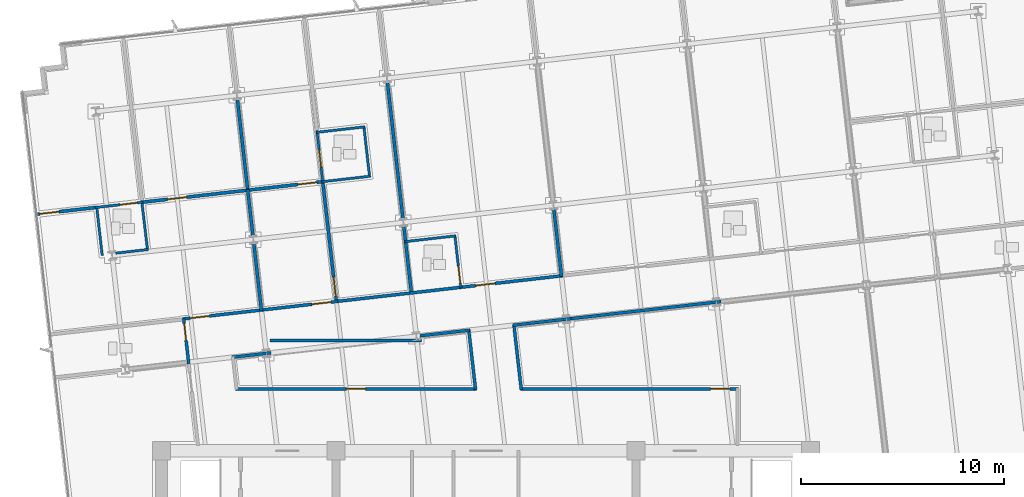
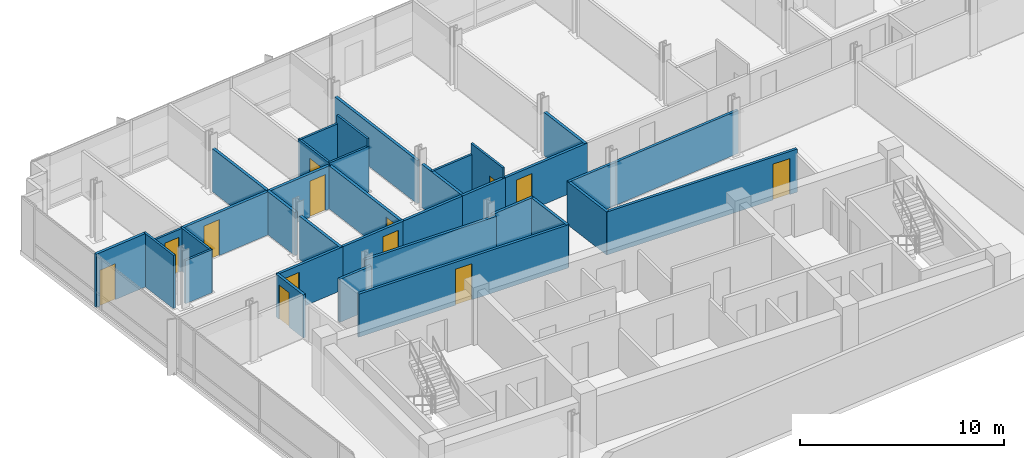
# One storey, part 10 of 16: 35 walls, 13 doors, 13 openings.
"""IFC4 building model written with IfcOpenShell, lengths in metres."""

from ifc_helpers import new_model, si_unit, direction, frame, frame_2d, origin, place, context, subcontext, project, spatial, rectangle, extrude, material, layer, layer_set, type_object, element, fill, save


model = new_model("IFC4")

# Units and contexts
model_context = context("Model", 3, precision=1e-05, world=origin(), true_north=direction((0.0, 1.0)))
body_context = subcontext(model_context, "Body", "Model", "MODEL_VIEW")
ifc_project = project(units=[si_unit("LENGTHUNIT", "METRE"), si_unit("AREAUNIT", "SQUARE_METRE"), si_unit("VOLUMEUNIT", "CUBIC_METRE"), si_unit("PLANEANGLEUNIT", "RADIAN"), si_unit("MASSUNIT", "GRAM", prefix="KILO")], contexts=[model_context])

# Site, building, storey
site_placement = place(None, origin())
site = spatial("IfcSite", under=ifc_project, at=site_placement, CompositionType="ELEMENT")
building_placement = place(site_placement, origin())
building = spatial("IfcBuilding", under=site, at=building_placement, Name="Solmavex Isthmus Hotel", CompositionType="ELEMENT")
storey_placement = place(building_placement, frame((0.0, 0.0, 219.300048828125)))
storey = spatial("IfcBuildingStorey", under=building, at=storey_placement, Name="L59", CompositionType="ELEMENT", Elevation=219.300048828125)

# Wall, opening, door
ifc_material_1 = material(Name="Gypsum plasterboard lining", Category="gypsum")
ifc_layer_1 = layer(ifc_material_1, 0.159912109375)
ifc_layer_set_1 = layer_set([ifc_layer_1], Name="Gypsum plasterboard lining")
wall_type_1 = type_object("IfcWallType", Name="IW-COMP-160", PredefinedType="PARTITIONING", material=ifc_layer_set_1)
wall_1_placement = place(storey_placement, frame((-22.2109375, 9.15478515625, 0.0), z_axis=(0.0, 0.0, 1.0), x_axis=(0.993565909035, 0.113255394587, 0.0)))
wall_1 = element("IfcWall", 1, at=wall_1_placement, inside=storey, type_object=wall_type_1, Name="Interior Partition Wall W-L59-P026", PredefinedType="PARTITIONING", context=body_context, shape_type="SweptSolid", body=[
    extrude(rectangle(XDim=3.073974609375, YDim=0.159912109375, at=frame_2d((1.537109375, 0.0))), origin(), (0.0, 0.0, 1.0), 3.18994140625),
])
opening_1_placement = place(wall_1_placement, frame((0.2099609375, 0.0, 0.0)))
opening_1 = element("IfcOpeningElement", 2, at=opening_1_placement, cuts=wall_1, Name="Opening ID-C095", PredefinedType="OPENING", context=body_context, shape_type="SweptSolid", body=[
    extrude(rectangle(XDim=0.949951171875, YDim=2.14990234375, at=frame_2d((0.47509765625, 1.074951171875))), frame((0.0, 0.08984375, 0.0), z_axis=(0.0, -1.0, 0.0), x_axis=(1.0, 0.0, 0.0)), (0.0, 0.0, 1.0), 0.179931640625),
])
ifc_material_2 = material(Name="Hardwood timber", Category="wood")
door_type_1 = type_object("IfcDoorType", Name="IDR-FD60-0950", OperationType="NOTDEFINED", PredefinedType="DOOR", material=ifc_material_2)
door_1_placement = place(opening_1_placement, origin())
door_1 = element("IfcDoor", 3, at=door_1_placement, inside=storey, type_object=door_type_1, Name="Corner Diplomatic Suite Bedroom Door L59-02", OperationType="SINGLE_SWING_RIGHT", OverallHeight=2.14990234375, OverallWidth=0.949951171875, PredefinedType="DOOR", context=body_context, shape_type="SweptSolid", body=[
    extrude(rectangle(XDim=0.949951171875, YDim=2.14990234375, at=frame_2d((0.47509765625, 1.074951171875))), frame((0.0, 0.02490234375, 0.0), z_axis=(0.0, -1.0, 0.0), x_axis=(1.0, 0.0, 0.0)), (0.0, 0.0, 1.0), 0.050048828125),
])
fill(opening_1, door_1)

wall_2_placement = place(storey_placement, frame((-17.0107421875, 9.747314453125, 0.0), z_axis=(0.0, 0.0, 1.0), x_axis=(0.993573472998, 0.113189017815, 0.0)))
wall_2 = element("IfcWall", 4, at=wall_2_placement, inside=storey, type_object=wall_type_1, Name="Interior Partition Wall W-L59-P027", PredefinedType="PARTITIONING", context=body_context, shape_type="SweptSolid", body=[
    extrude(rectangle(XDim=5.333984375, YDim=0.159912109375, at=frame_2d((2.6669921875, 0.0))), origin(), (0.0, 0.0, 1.0), 2.572265625),
])
opening_2_placement = place(wall_2_placement, frame((1.309326171875, 0.0, 0.0)))
opening_2 = element("IfcOpeningElement", 5, at=opening_2_placement, cuts=wall_2, Name="Opening ID-C095", PredefinedType="OPENING", context=body_context, shape_type="SweptSolid", body=[
    extrude(rectangle(XDim=0.949951171875, YDim=2.14990234375, at=frame_2d((0.47509765625, 1.074951171875))), frame((0.0, 0.08984375, 0.0), z_axis=(0.0, -1.0, 0.0), x_axis=(1.0, 0.0, 0.0)), (0.0, 0.0, 1.0), 0.179931640625),
])
door_2_placement = place(opening_2_placement, origin())
door_2 = element("IfcDoor", 6, at=door_2_placement, inside=storey, type_object=door_type_1, Name="Corner Diplomatic Suite Sitting Lounge Door L59-03", OperationType="SINGLE_SWING_LEFT", OverallHeight=2.14990234375, OverallWidth=0.949951171875, PredefinedType="DOOR", context=body_context, shape_type="SweptSolid", body=[
    extrude(rectangle(XDim=0.949951171875, YDim=2.14990234375, at=frame_2d((0.47509765625, 1.074951171875))), frame((0.0, 0.02490234375, 0.0), z_axis=(0.0, -1.0, 0.0), x_axis=(1.0, 0.0, 0.0)), (0.0, 0.0, 1.0), 0.050048828125),
])
fill(opening_2, door_2)

# Walls
wall_3_placement = place(storey_placement, frame((-11.75537109375, 10.386474609375, 0.0), z_axis=(0.0, 0.0, 1.0), x_axis=(0.113222204678, -0.993569691752, 0.0)))
element("IfcWall", 7, at=wall_3_placement, inside=storey, type_object=wall_type_1, Name="Interior Partition Wall W-L59-P031", PredefinedType="PARTITIONING", context=body_context, shape_type="SweptSolid", body=[
    extrude(rectangle(XDim=2.313720703125, YDim=0.159912109375, at=frame_2d((1.15673828125, 0.0))), origin(), (0.0, 0.0, 1.0), 2.572265625),
])
wall_4_placement = place(storey_placement, frame((-11.453369140625, 7.737060546875, 0.0), z_axis=(0.0, 0.0, 1.0), x_axis=(0.113229088195, -0.993568907317, 0.0)))
element("IfcWall", 8, at=wall_4_placement, inside=storey, type_object=wall_type_1, Name="Interior Partition Wall W-L59-P032", PredefinedType="PARTITIONING", context=body_context, shape_type="SweptSolid", body=[
    extrude(rectangle(XDim=3.361572265625, YDim=0.159912109375, at=frame_2d((1.6806640625, 0.0))), origin(), (0.0, 0.0, 1.0), 2.572265625),
])
wall_5_placement = place(storey_placement, frame((-12.262939453125, 14.84326171875, 0.0), z_axis=(0.0, 0.0, 1.0), x_axis=(0.113201232248, -0.99357208144, 0.0)))
element("IfcWall", 9, at=wall_5_placement, inside=storey, type_object=wall_type_1, Name="Interior Partition Wall W-L59-P037", PredefinedType="PARTITIONING", context=body_context, shape_type="SweptSolid", body=[
    extrude(rectangle(XDim=4.565673828125, YDim=0.159912109375, at=frame_2d((2.28271484375, 0.0))), origin(), (0.0, 0.0, 1.0), 2.572265625),
])

# Wall, opening, door
wall_6_placement = place(storey_placement, frame((-11.79052734375, 10.342041015625, 0.0), z_axis=(0.0, 0.0, 1.0), x_axis=(0.993567388358, 0.113242416041, 0.0)))
wall_6 = element("IfcWall", 10, at=wall_6_placement, inside=storey, type_object=wall_type_1, Name="Interior Partition Wall W-L59-P038", PredefinedType="PARTITIONING", context=body_context, shape_type="SweptSolid", body=[
    extrude(rectangle(XDim=3.802978515625, YDim=0.159912109375, at=frame_2d((1.9013671875, 0.0))), origin(), (0.0, 0.0, 1.0), 2.572265625),
])
opening_3_placement = place(wall_6_placement, frame((2.52099609375, 0.0, 0.0)))
opening_3 = element("IfcOpeningElement", 11, at=opening_3_placement, cuts=wall_6, Name="Opening ID-C095", PredefinedType="OPENING", context=body_context, shape_type="SweptSolid", body=[
    extrude(rectangle(XDim=0.949951171875, YDim=2.14990234375, at=frame_2d((0.47509765625, 1.074951171875))), frame((0.0, 0.08984375, 0.0), z_axis=(0.0, -1.0, 0.0), x_axis=(1.0, 0.0, 0.0)), (0.0, 0.0, 1.0), 0.179931640625),
])
door_3_placement = place(opening_3_placement, origin())
door_3 = element("IfcDoor", 12, at=door_3_placement, inside=storey, type_object=door_type_1, Name="Premier Hospitality Suite Master Bedroom Door L59-06", OperationType="SINGLE_SWING_RIGHT", OverallHeight=2.14990234375, OverallWidth=0.949951171875, PredefinedType="DOOR", context=body_context, shape_type="SweptSolid", body=[
    extrude(rectangle(XDim=0.949951171875, YDim=2.14990234375, at=frame_2d((0.47509765625, 1.074951171875))), frame((0.0, 0.02490234375, 0.0), z_axis=(0.0, -1.0, 0.0), x_axis=(1.0, 0.0, 0.0)), (0.0, 0.0, 1.0), 0.050048828125),
])
fill(opening_3, door_3)

wall_7_placement = place(storey_placement, frame((-8.05615234375, 10.807861328125, 0.0), z_axis=(0.0, 0.0, 1.0), x_axis=(0.11320048128, -0.993572167, 0.0)))
wall_7 = element("IfcWall", 13, at=wall_7_placement, inside=storey, type_object=wall_type_1, Name="Interior Partition Wall W-L59-P039", PredefinedType="PARTITIONING", context=body_context, shape_type="SweptSolid", body=[
    extrude(rectangle(XDim=6.028076171875, YDim=0.159912109375, at=frame_2d((3.01416015625, 0.0))), origin(), (0.0, 0.0, 1.0), 2.572265625),
])
opening_4_placement = place(wall_7_placement, frame((4.787353515625, 0.0, 0.0)))
opening_4 = element("IfcOpeningElement", 14, at=opening_4_placement, cuts=wall_7, Name="Opening ID-C095", PredefinedType="OPENING", context=body_context, shape_type="SweptSolid", body=[
    extrude(rectangle(XDim=0.949951171875, YDim=2.14990234375, at=frame_2d((0.47509765625, 1.074951171875))), frame((0.0, 0.08984375, 0.0), z_axis=(0.0, -1.0, 0.0), x_axis=(1.0, 0.0, 0.0)), (0.0, 0.0, 1.0), 0.179931640625),
])
door_4_placement = place(opening_4_placement, origin())
door_4 = element("IfcDoor", 15, at=door_4_placement, inside=storey, type_object=door_type_1, Name="Premier Hospitality Suite Living Lounge Door L59-07", OperationType="SINGLE_SWING_LEFT", OverallHeight=2.14990234375, OverallWidth=0.949951171875, PredefinedType="DOOR", context=body_context, shape_type="SweptSolid", body=[
    extrude(rectangle(XDim=0.949951171875, YDim=2.14990234375, at=frame_2d((0.47509765625, 1.074951171875))), frame((0.0, 0.02490234375, 0.0), z_axis=(0.0, -1.0, 0.0), x_axis=(1.0, 0.0, 0.0)), (0.0, 0.0, 1.0), 0.050048828125),
])
fill(opening_4, door_4)

# Walls
wall_8_placement = place(storey_placement, frame((-4.864990234375, 15.68603515625, 0.0), z_axis=(0.0, 0.0, 1.0), x_axis=(0.11321341463, -0.993570693382, 0.0)))
element("IfcWall", 16, at=wall_8_placement, inside=storey, type_object=wall_type_1, Name="Interior Partition Wall W-L59-P046", PredefinedType="PARTITIONING", context=body_context, shape_type="SweptSolid", body=[
    extrude(rectangle(XDim=6.79931640625, YDim=0.159912109375, at=frame_2d((3.399658203125, 0.0))), origin(), (0.0, 0.0, 1.0), 2.572265625),
])
for number, where, z_axis, x_axis, name in (
    (17, (-4.05517578125, 8.580078125, 0.0), (0.0, 0.0, 1.0), (0.113149223935, -0.993578005555, 0.0), "Interior Partition Wall W-L59-P047"),
    (18, (3.3427734375, 9.4228515625, 0.0), (0.0, 0.0, 1.0), (0.113229088195, -0.993568907317, 0.0), "Interior Partition Wall W-L59-P052"),
):
    element("IfcWall", number, at=place(storey_placement, frame(where, z_axis=z_axis, x_axis=x_axis)), inside=storey, type_object=wall_type_1, Name=name, PredefinedType="PARTITIONING", context=body_context, shape_type="SweptSolid", body=[
        extrude(rectangle(XDim=3.361572265625, YDim=0.159912109375, at=frame_2d((1.6806640625, 0.0))), origin(), (0.0, 0.0, 1.0), 2.572265625),
    ])

# Wall, opening, door
ifc_layer_2 = layer(ifc_material_1, 0.14990234375)
ifc_layer_set_2 = layer_set([ifc_layer_2], Name="Gypsum plasterboard lining")
wall_type_2 = type_object("IfcWallType", Name="IW-CORR-150", PredefinedType="PARTITIONING", material=ifc_layer_set_2)
wall_9_placement = place(storey_placement, frame((-14.950439453125, 3.99560546875, 0.0), z_axis=(0.0, 0.0, 1.0), x_axis=(0.993575504711, 0.11317118201, 0.0)))
wall_9 = element("IfcWall", 19, at=wall_9_placement, inside=storey, type_object=wall_type_2, Name="Interior Partition Wall W-L59-P001", PredefinedType="PARTITIONING", context=body_context, shape_type="SweptSolid", body=[
    extrude(rectangle(XDim=3.980224609375, YDim=0.14990234375, at=frame_2d((1.990234375, 0.0))), origin(), (0.0, 0.0, 1.0), 2.572265625),
])
opening_5_placement = place(wall_9_placement, frame((0.368408203125, 0.0, 0.0)))
opening_5 = element("IfcOpeningElement", 20, at=opening_5_placement, cuts=wall_9, Name="Opening ID-C095", PredefinedType="OPENING", context=body_context, shape_type="SweptSolid", body=[
    extrude(rectangle(XDim=0.949951171875, YDim=2.14990234375, at=frame_2d((0.47509765625, 1.074951171875))), frame((0.0, 0.0849609375, 0.0), z_axis=(0.0, -1.0, 0.0), x_axis=(1.0, 0.0, 0.0)), (0.0, 0.0, 1.0), 0.169921875),
])
door_5_placement = place(opening_5_placement, origin())
door_5 = element("IfcDoor", 21, at=door_5_placement, inside=storey, type_object=door_type_1, Name="Corner Diplomatic Suite Reception Foyer Door L59-01", OperationType="SINGLE_SWING_LEFT", OverallHeight=2.14990234375, OverallWidth=0.949951171875, PredefinedType="DOOR", context=body_context, shape_type="SweptSolid", body=[
    extrude(rectangle(XDim=0.949951171875, YDim=2.14990234375, at=frame_2d((0.47509765625, 1.074951171875))), frame((0.0, 0.02490234375, 0.0), z_axis=(0.0, -1.0, 0.0), x_axis=(1.0, 0.0, 0.0)), (0.0, 0.0, 1.0), 0.050048828125),
])
fill(opening_5, door_5)

wall_10_placement = place(storey_placement, frame((-11.158935546875, 4.427490234375, 0.0), z_axis=(0.0, 0.0, 1.0), x_axis=(0.993567244528, 0.113243677975, 0.0)))
wall_10 = element("IfcWall", 22, at=wall_10_placement, inside=storey, type_object=wall_type_2, Name="Interior Partition Wall W-L59-P002", PredefinedType="PARTITIONING", context=body_context, shape_type="SweptSolid", body=[
    extrude(rectangle(XDim=3.886962890625, YDim=0.14990234375, at=frame_2d((1.943359375, 0.0))), origin(), (0.0, 0.0, 1.0), 2.572265625),
])
opening_6_placement = place(wall_10_placement, frame((2.587890625, 0.0, 0.0)))
opening_6 = element("IfcOpeningElement", 23, at=opening_6_placement, cuts=wall_10, Name="Opening ID-C095", PredefinedType="OPENING", context=body_context, shape_type="SweptSolid", body=[
    extrude(rectangle(XDim=0.949951171875, YDim=2.14990234375, at=frame_2d((0.47509765625, 1.074951171875))), frame((0.0, 0.0849609375, 0.0), z_axis=(0.0, -1.0, 0.0), x_axis=(1.0, 0.0, 0.0)), (0.0, 0.0, 1.0), 0.169921875),
])
door_6_placement = place(opening_6_placement, origin())
door_6 = element("IfcDoor", 24, at=door_6_placement, inside=storey, type_object=door_type_1, Name="Premier Hospitality Suite Entrance Hall Door L59-05", OperationType="SINGLE_SWING_LEFT", OverallHeight=2.14990234375, OverallWidth=0.949951171875, PredefinedType="DOOR", context=body_context, shape_type="SweptSolid", body=[
    extrude(rectangle(XDim=0.949951171875, YDim=2.14990234375, at=frame_2d((0.47509765625, 1.074951171875))), frame((0.0, 0.02490234375, 0.0), z_axis=(0.0, -1.0, 0.0), x_axis=(1.0, 0.0, 0.0)), (0.0, 0.0, 1.0), 0.050048828125),
])
fill(opening_6, door_6)

# Wall
wall_11_placement = place(storey_placement, frame((-7.459716796875, 4.84912109375, 0.0), z_axis=(0.0, 0.0, 1.0), x_axis=(0.993573504889, 0.113188737881, 0.0)))
element("IfcWall", 25, at=wall_11_placement, inside=storey, type_object=wall_type_2, Name="Interior Partition Wall W-L59-P003", PredefinedType="PARTITIONING", context=body_context, shape_type="SweptSolid", body=[
    extrude(rectangle(XDim=3.88671875, YDim=0.14990234375, at=frame_2d((1.943359375, 0.0))), origin(), (0.0, 0.0, 1.0), 2.572265625),
])

# Wall, opening, door
wall_12_placement = place(storey_placement, frame((-1.326416015625, 5.5478515625, 0.0), z_axis=(0.0, 0.0, 1.0), x_axis=(0.993569374626, 0.113224987546, 0.0)))
wall_12 = element("IfcWall", 26, at=wall_12_placement, inside=storey, type_object=wall_type_2, Name="Interior Partition Wall W-L59-P004", PredefinedType="PARTITIONING", context=body_context, shape_type="SweptSolid", body=[
    extrude(rectangle(XDim=5.159912109375, YDim=0.14990234375, at=frame_2d((2.580078125, 0.0))), origin(), (0.0, 0.0, 1.0), 2.572265625),
])
opening_7_placement = place(wall_12_placement, frame((0.82470703125, 0.0, 0.0)))
opening_7 = element("IfcOpeningElement", 27, at=opening_7_placement, cuts=wall_12, Name="Opening ID-C095", PredefinedType="OPENING", context=body_context, shape_type="SweptSolid", body=[
    extrude(rectangle(XDim=0.949951171875, YDim=2.14990234375, at=frame_2d((0.47509765625, 1.074951171875))), frame((0.0, 0.0849609375, 0.0), z_axis=(0.0, -1.0, 0.0), x_axis=(1.0, 0.0, 0.0)), (0.0, 0.0, 1.0), 0.169921875),
])
door_7_placement = place(opening_7_placement, origin())
door_7 = element("IfcDoor", 28, at=door_7_placement, inside=storey, type_object=door_type_1, Name="Premier Suite Door L59-09", OperationType="SINGLE_SWING_LEFT", OverallHeight=2.14990234375, OverallWidth=0.949951171875, PredefinedType="DOOR", context=body_context, shape_type="SweptSolid", body=[
    extrude(rectangle(XDim=0.949951171875, YDim=2.14990234375, at=frame_2d((0.47509765625, 1.074951171875))), frame((0.0, 0.02490234375, 0.0), z_axis=(0.0, -1.0, 0.0), x_axis=(1.0, 0.0, 0.0)), (0.0, 0.0, 1.0), 0.050048828125),
])
fill(opening_7, door_7)

# Wall
wall_13_placement = place(storey_placement, frame((-3.7607421875, 5.2705078125, 0.0), z_axis=(0.0, 0.0, 1.0), x_axis=(0.993572349416, 0.113198880193, 0.0)))
element("IfcWall", 29, at=wall_13_placement, inside=storey, type_object=wall_type_2, Name="Interior Partition Wall W-L59-P005", PredefinedType="PARTITIONING", context=body_context, shape_type="SweptSolid", body=[
    extrude(rectangle(XDim=2.614013671875, YDim=0.14990234375, at=frame_2d((1.30712890625, 0.0))), origin(), (0.0, 0.0, 1.0), 2.572265625),
])

# Wall, opening, door
wall_14_placement = place(storey_placement, frame((-14.657958984375, 1.782470703125, 0.0), z_axis=(0.0, 0.0, 1.0), x_axis=(-0.113179685294, 0.993574536125, 0.0)))
wall_14 = element("IfcWall", 30, at=wall_14_placement, inside=storey, type_object=wall_type_2, Name="Interior Partition Wall W-L59-P010", PredefinedType="PARTITIONING", context=body_context, shape_type="SweptSolid", body=[
    extrude(rectangle(XDim=2.251953125, YDim=0.14990234375, at=frame_2d((1.1259765625, 0.0))), origin(), (0.0, 0.0, 1.0), 2.572265625),
])
opening_8_placement = place(wall_14_placement, frame((1.156982421875, 0.0, 0.0)))
opening_8 = element("IfcOpeningElement", 31, at=opening_8_placement, cuts=wall_14, Name="Opening ID-R085", PredefinedType="OPENING", context=body_context, shape_type="SweptSolid", body=[
    extrude(rectangle(XDim=0.85009765625, YDim=2.050048828125, at=frame_2d((0.425048828125, 1.02490234375))), frame((0.0, 0.0849609375, 0.0), z_axis=(0.0, -1.0, 0.0), x_axis=(1.0, 0.0, 0.0)), (0.0, 0.0, 1.0), 0.169921875),
])
ifc_material_3 = material(Name="Steel ASTM A500 Grade C", Category="steel")
door_type_2 = type_object("IfcDoorType", Name="IDR-FD60-0850", OperationType="NOTDEFINED", PredefinedType="DOOR", material=ifc_material_3)
door_8_placement = place(opening_8_placement, frame((0.85009765625, 0.0, 0.0), z_axis=(0.0, 0.0, 1.0), x_axis=(-1.0, 0.0, 0.0)))
door_8 = element("IfcDoor", 32, at=door_8_placement, inside=storey, type_object=door_type_2, Name="Accessible Public Restroom WC Door L59-18", OperationType="SINGLE_SWING_RIGHT", OverallHeight=2.050048828125, OverallWidth=0.85009765625, PredefinedType="DOOR", context=body_context, shape_type="SweptSolid", body=[
    extrude(rectangle(XDim=0.85009765625, YDim=2.050048828125, at=frame_2d((0.425048828125, 1.02490234375))), frame((0.0, 0.02490234375, 0.0), z_axis=(0.0, -1.0, 0.0), x_axis=(1.0, 0.0, 0.0)), (0.0, 0.0, 1.0), 0.050048828125),
])
fill(opening_8, door_8)

# Wall
wall_15_placement = place(storey_placement, frame((-10.6064453125, 2.32666015625, 0.0), z_axis=(0.0, 0.0, 1.0), x_axis=(-0.993564486687, -0.113267871856, 0.0)))
element("IfcWall", 33, at=wall_15_placement, inside=storey, type_object=wall_type_2, Name="Interior Partition Wall W-L59-P012", PredefinedType="PARTITIONING", context=body_context, shape_type="SweptSolid", body=[
    extrude(rectangle(XDim=1.927001953125, YDim=0.14990234375, at=frame_2d((0.96337890625, 0.0))), origin(), (0.0, 0.0, 1.0), 2.572265625),
])

# Wall, opening, door
wall_16_placement = place(storey_placement, frame((-12.34326171875, 0.550048828125, 0.0), z_axis=(0.0, 0.0, 1.0), x_axis=(1.0, 0.0, 0.0)))
wall_16 = element("IfcWall", 34, at=wall_16_placement, inside=storey, type_object=wall_type_2, Name="Interior Partition Wall W-L59-P014", PredefinedType="PARTITIONING", context=body_context, shape_type="SweptSolid", body=[
    extrude(rectangle(XDim=11.86279296875, YDim=0.14990234375, at=frame_2d((5.931396484375, 0.0))), origin(), (0.0, 0.0, 1.0), 2.572265625),
])
opening_9_placement = place(wall_16_placement, frame((5.456298828125, 0.0, 0.0)))
opening_9 = element("IfcOpeningElement", 35, at=opening_9_placement, cuts=wall_16, Name="Opening ID-C095", PredefinedType="OPENING", context=body_context, shape_type="SweptSolid", body=[
    extrude(rectangle(XDim=0.949951171875, YDim=2.14990234375, at=frame_2d((0.47509765625, 1.074951171875))), frame((0.0, 0.0849609375, 0.0), z_axis=(0.0, -1.0, 0.0), x_axis=(1.0, 0.0, 0.0)), (0.0, 0.0, 1.0), 0.169921875),
])
door_9_placement = place(opening_9_placement, origin())
door_9 = element("IfcDoor", 36, at=door_9_placement, inside=storey, type_object=door_type_1, Name="Executive Boardroom Door L59-20", OperationType="SINGLE_SWING_RIGHT", OverallHeight=2.14990234375, OverallWidth=0.949951171875, PredefinedType="DOOR", context=body_context, shape_type="SweptSolid", body=[
    extrude(rectangle(XDim=0.949951171875, YDim=2.14990234375, at=frame_2d((0.47509765625, 1.074951171875))), frame((0.0, 0.02490234375, 0.0), z_axis=(0.0, -1.0, 0.0), x_axis=(1.0, 0.0, 0.0)), (0.0, 0.0, 1.0), 0.050048828125),
])
fill(opening_9, door_9)

# Walls
wall_17_placement = place(storey_placement, frame((-0.515869140625, 0.51025390625, 0.0), z_axis=(0.0, 0.0, 1.0), x_axis=(-0.113283799092, 0.993562670828, 0.0)))
element("IfcWall", 37, at=wall_17_placement, inside=storey, type_object=wall_type_2, Name="Interior Partition Wall W-L59-P015", PredefinedType="PARTITIONING", context=body_context, shape_type="SweptSolid", body=[
    extrude(rectangle(XDim=2.987060546875, YDim=0.14990234375, at=frame_2d((1.49365234375, 0.0))), origin(), (0.0, 0.0, 1.0), 2.572265625),
])
wall_18_placement = place(storey_placement, frame((-0.809814453125, 3.44287109375, 0.0), z_axis=(0.0, 0.0, 1.0), x_axis=(-0.993568355418, -0.113233930922, 0.0)))
element("IfcWall", 38, at=wall_18_placement, inside=storey, type_object=wall_type_2, Name="Interior Partition Wall W-L59-P016", PredefinedType="PARTITIONING", context=body_context, shape_type="SweptSolid", body=[
    extrude(rectangle(XDim=2.466552734375, YDim=0.14990234375, at=frame_2d((1.2333984375, 0.0))), origin(), (0.0, 0.0, 1.0), 2.572265625),
])
wall_19_placement = place(storey_placement, frame((-3.180908203125, 2.9287109375, 0.0), z_axis=(0.0, 0.0, 1.0), x_axis=(-1.0, 0.0, 0.0)))
element("IfcWall", 39, at=wall_19_placement, inside=storey, type_object=wall_type_2, Name="Interior Partition Wall W-L59-P017", PredefinedType="PARTITIONING", context=body_context, shape_type="SweptSolid", body=[
    extrude(rectangle(XDim=7.477783203125, YDim=0.14990234375, at=frame_2d((3.73876953125, 0.0))), origin(), (0.0, 0.0, 1.0), 2.572265625),
])
wall_20_placement = place(storey_placement, frame((4.18994140625, 4.012451171875, 0.0), z_axis=(0.0, 0.0, 1.0), x_axis=(-0.99356987962, -0.113220556049, 0.0)))
element("IfcWall", 40, at=wall_20_placement, inside=storey, type_object=wall_type_2, Name="Interior Partition Wall W-L59-P019", PredefinedType="PARTITIONING", context=body_context, shape_type="SweptSolid", body=[
    extrude(rectangle(XDim=2.872314453125, YDim=0.14990234375, at=frame_2d((1.43603515625, 0.0))), origin(), (0.0, 0.0, 1.0), 2.572265625),
])
wall_21_placement = place(storey_placement, frame((1.37158203125, 3.731689453125, 0.0), z_axis=(0.0, 0.0, 1.0), x_axis=(0.113174940517, -0.993575076599, 0.0)))
element("IfcWall", 41, at=wall_21_placement, inside=storey, type_object=wall_type_2, Name="Interior Partition Wall W-L59-P020", PredefinedType="PARTITIONING", context=body_context, shape_type="SweptSolid", body=[
    extrude(rectangle(XDim=3.2421875, YDim=0.14990234375, at=frame_2d((1.62109375, 0.0))), origin(), (0.0, 0.0, 1.0), 2.572265625),
])

# Wall, opening, door
wall_22_placement = place(storey_placement, frame((1.694091796875, 0.550048828125, 0.0), z_axis=(0.0, 0.0, 1.0), x_axis=(1.0, 0.0, 0.0)))
wall_22 = element("IfcWall", 42, at=wall_22_placement, inside=storey, type_object=wall_type_2, Name="Interior Partition Wall W-L59-P021", PredefinedType="PARTITIONING", context=body_context, shape_type="SweptSolid", body=[
    extrude(rectangle(XDim=10.745849609375, YDim=0.14990234375, at=frame_2d((5.373046875, 0.0))), origin(), (0.0, 0.0, 1.0), 2.572265625),
])
opening_10_placement = place(wall_22_placement, frame((9.377685546875, 0.0, 0.0)))
opening_10 = element("IfcOpeningElement", 43, at=opening_10_placement, cuts=wall_22, Name="Opening ID-C095", PredefinedType="OPENING", context=body_context, shape_type="SweptSolid", body=[
    extrude(rectangle(XDim=0.949951171875, YDim=2.14990234375, at=frame_2d((0.47509765625, 1.074951171875))), frame((0.0, 0.0849609375, 0.0), z_axis=(0.0, -1.0, 0.0), x_axis=(1.0, 0.0, 0.0)), (0.0, 0.0, 1.0), 0.169921875),
])
door_10_placement = place(opening_10_placement, frame((0.949951171875, 0.0, 0.0), z_axis=(0.0, 0.0, 1.0), x_axis=(-1.0, 0.0, 0.0)))
door_10 = element("IfcDoor", 44, at=door_10_placement, inside=storey, type_object=door_type_1, Name="Executive Boardroom Door L59-22", OperationType="SINGLE_SWING_RIGHT", OverallHeight=2.14990234375, OverallWidth=0.949951171875, PredefinedType="DOOR", context=body_context, shape_type="SweptSolid", body=[
    extrude(rectangle(XDim=0.949951171875, YDim=2.14990234375, at=frame_2d((0.47509765625, 1.074951171875))), frame((0.0, 0.02490234375, 0.0), z_axis=(0.0, -1.0, 0.0), x_axis=(1.0, 0.0, 0.0)), (0.0, 0.0, 1.0), 0.050048828125),
])
fill(opening_10, door_10)

# Walls
wall_23_placement = place(storey_placement, frame((11.587890625, 4.855224609375, 0.0), z_axis=(0.0, 0.0, 1.0), x_axis=(-0.993575418148, -0.113171941983, 0.0)))
element("IfcWall", 45, at=wall_23_placement, inside=storey, type_object=wall_type_2, Name="Interior Partition Wall W-L59-P023", PredefinedType="PARTITIONING", context=body_context, shape_type="SweptSolid", body=[
    extrude(rectangle(XDim=7.49853515625, YDim=0.14990234375, at=frame_2d((3.749267578125, 0.0))), origin(), (0.0, 0.0, 1.0), 2.572265625),
])
ifc_layer_3 = layer(ifc_material_1, 0.1201171875)
ifc_layer_set_3 = layer_set([ifc_layer_3], Name="Gypsum plasterboard lining")
wall_type_3 = type_object("IfcWallType", Name="IW-PART-120", PredefinedType="PARTITIONING", material=ifc_layer_set_3)
wall_24_placement = place(storey_placement, frame((-19.201171875, 9.5380859375, 0.0), z_axis=(0.0, 0.0, 1.0), x_axis=(0.11322075119, -0.993569857383, 0.0)))
element("IfcWall", 46, at=wall_24_placement, inside=storey, type_object=wall_type_3, Name="Interior Partition Wall W-L59-P028", PredefinedType="PARTITIONING", context=body_context, shape_type="SweptSolid", body=[
    extrude(rectangle(XDim=2.43017578125, YDim=0.1201171875, at=frame_2d((1.215087890625, 0.0))), origin(), (0.0, 0.0, 1.0), 3.18994140625),
])
wall_25_placement = place(storey_placement, frame((-18.260986328125, 7.23974609375, 0.0), z_axis=(0.0, 0.0, 1.0), x_axis=(0.993577877691, 0.113150346722, 0.0)))
element("IfcWall", 47, at=wall_25_placement, inside=storey, type_object=wall_type_3, Name="Interior Partition Wall W-L59-P029", PredefinedType="PARTITIONING", context=body_context, shape_type="SweptSolid", body=[
    extrude(rectangle(XDim=1.6162109375, YDim=0.1201171875, at=frame_2d((0.80810546875, 0.0))), origin(), (0.0, 0.0, 1.0), 2.572265625),
])
wall_26_placement = place(storey_placement, frame((-16.690185546875, 7.37841796875, 0.0), z_axis=(0.0, 0.0, 1.0), x_axis=(-0.117453323997, 0.993078404096, 0.0)))
element("IfcWall", 48, at=wall_26_placement, inside=storey, type_object=wall_type_3, Name="Interior Partition Wall W-L59-P030", PredefinedType="PARTITIONING", context=body_context, shape_type="SweptSolid", body=[
    extrude(rectangle(XDim=2.429931640625, YDim=0.1201171875, at=frame_2d((1.21484375, 0.0))), origin(), (0.0, 0.0, 1.0), 2.572265625),
])

# Wall, opening, door
wall_27_placement = place(storey_placement, frame((-16.92138671875, 9.757568359375, 0.0), z_axis=(0.0, 0.0, 1.0), x_axis=(-0.993569776601, -0.113221460091, 0.0)))
wall_27 = element("IfcWall", 49, at=wall_27_placement, inside=storey, type_object=wall_type_3, Name="Interior Partition Wall W-L59-P035", PredefinedType="PARTITIONING", context=body_context, shape_type="SweptSolid", body=[
    extrude(rectangle(XDim=2.371826171875, YDim=0.1201171875, at=frame_2d((1.18603515625, 0.0))), origin(), (0.0, 0.0, 1.0), 2.557373046875),
])
opening_11_placement = place(wall_27_placement, frame((0.27978515625, 0.0, 0.0)))
opening_11 = element("IfcOpeningElement", 50, at=opening_11_placement, cuts=wall_27, Name="Opening ID-U085", PredefinedType="OPENING", context=body_context, shape_type="SweptSolid", body=[
    extrude(rectangle(XDim=0.85009765625, YDim=2.10009765625, at=frame_2d((0.425048828125, 1.050048828125))), frame((0.0, 0.070068359375, 0.0), z_axis=(0.0, -1.0, 0.0), x_axis=(1.0, 0.0, 0.0)), (0.0, 0.0, 1.0), 0.14013671875),
])
door_type_3 = type_object("IfcDoorType", Name="IDR-UNR-0850", OperationType="NOTDEFINED", PredefinedType="DOOR", material=ifc_material_2)
door_11_placement = place(opening_11_placement, frame((0.85009765625, 0.0, 0.0), z_axis=(0.0, 0.0, 1.0), x_axis=(-1.0, 0.0, 0.0)))
door_11 = element("IfcDoor", 51, at=door_11_placement, inside=storey, type_object=door_type_3, Name="En-suite Bathroom Door L59-04", OperationType="SINGLE_SWING_RIGHT", OverallHeight=2.10009765625, OverallWidth=0.85009765625, PredefinedType="DOOR", context=body_context, shape_type="SweptSolid", body=[
    extrude(rectangle(XDim=0.85009765625, YDim=2.10009765625, at=frame_2d((0.425048828125, 1.050048828125))), frame((0.0, 0.02490234375, 0.0), z_axis=(0.0, -1.0, 0.0), x_axis=(1.0, 0.0, 0.0)), (0.0, 0.0, 1.0), 0.050048828125),
])
fill(opening_11, door_11)

wall_28_placement = place(storey_placement, frame((-8.33837890625, 13.28369140625, 0.0), z_axis=(0.0, 0.0, 1.0), x_axis=(0.113244068937, -0.993567199967, 0.0)))
wall_28 = element("IfcWall", 52, at=wall_28_placement, inside=storey, type_object=wall_type_3, Name="Interior Partition Wall W-L59-P041", PredefinedType="PARTITIONING", context=body_context, shape_type="SweptSolid", body=[
    extrude(rectangle(XDim=2.572021484375, YDim=0.1201171875, at=frame_2d((1.2861328125, 0.0))), origin(), (0.0, 0.0, 1.0), 2.718017578125),
])
opening_12_placement = place(wall_28_placement, frame((0.9658203125, 0.0, 0.0)))
opening_12 = element("IfcOpeningElement", 53, at=opening_12_placement, cuts=wall_28, Name="Opening ID-U085", PredefinedType="OPENING", context=body_context, shape_type="SweptSolid", body=[
    extrude(rectangle(XDim=0.85009765625, YDim=2.10009765625, at=frame_2d((0.425048828125, 1.050048828125))), frame((0.0, 0.070068359375, 0.0), z_axis=(0.0, -1.0, 0.0), x_axis=(1.0, 0.0, 0.0)), (0.0, 0.0, 1.0), 0.14013671875),
])
door_12_placement = place(opening_12_placement, frame((0.85009765625, 0.0, 0.0), z_axis=(0.0, 0.0, 1.0), x_axis=(-1.0, 0.0, 0.0)))
door_12 = element("IfcDoor", 54, at=door_12_placement, inside=storey, type_object=door_type_3, Name="En-suite Bathroom Door L59-08", OperationType="SINGLE_SWING_RIGHT", OverallHeight=2.10009765625, OverallWidth=0.85009765625, PredefinedType="DOOR", context=body_context, shape_type="SweptSolid", body=[
    extrude(rectangle(XDim=0.85009765625, YDim=2.10009765625, at=frame_2d((0.425048828125, 1.050048828125))), frame((0.0, 0.02490234375, 0.0), z_axis=(0.0, -1.0, 0.0), x_axis=(1.0, 0.0, 0.0)), (0.0, 0.0, 1.0), 0.050048828125),
])
fill(opening_12, door_12)

# Walls
wall_29_placement = place(storey_placement, frame((-8.09130859375, 10.763671875, 0.0), z_axis=(0.0, 0.0, 1.0), x_axis=(0.993573870401, 0.113185529362, 0.0)))
element("IfcWall", 55, at=wall_29_placement, inside=storey, type_object=wall_type_3, Name="Interior Partition Wall W-L59-P042", PredefinedType="PARTITIONING", context=body_context, shape_type="SweptSolid", body=[
    extrude(rectangle(XDim=2.40283203125, YDim=0.1201171875, at=frame_2d((1.201416015625, 0.0))), origin(), (0.0, 0.0, 1.0), 2.718017578125),
])
wall_30_placement = place(storey_placement, frame((-5.739013671875, 10.9912109375, 0.0), z_axis=(0.0, 0.0, 1.0), x_axis=(-0.113184642947, 0.993573971379, 0.0)))
element("IfcWall", 56, at=wall_30_placement, inside=storey, type_object=wall_type_3, Name="Interior Partition Wall W-L59-P043", PredefinedType="PARTITIONING", context=body_context, shape_type="SweptSolid", body=[
    extrude(rectangle(XDim=2.5302734375, YDim=0.1201171875, at=frame_2d((1.26513671875, 0.0))), origin(), (0.0, 0.0, 1.0), 3.18994140625),
])
wall_31_placement = place(storey_placement, frame((-5.981201171875, 13.4697265625, 0.0), z_axis=(0.0, 0.0, 1.0), x_axis=(-0.993573870401, -0.113185529362, 0.0)))
element("IfcWall", 57, at=wall_31_placement, inside=storey, type_object=wall_type_3, Name="Interior Partition Wall W-L59-P044", PredefinedType="PARTITIONING", context=body_context, shape_type="SweptSolid", body=[
    extrude(rectangle(XDim=2.40283203125, YDim=0.1201171875, at=frame_2d((1.201416015625, 0.0))), origin(), (0.0, 0.0, 1.0), 2.718017578125),
])

# Wall, opening, door
wall_32_placement = place(storey_placement, frame((-1.240478515625, 5.517333984375, 0.0), z_axis=(0.0, 0.0, 1.0), x_axis=(-0.113161716754, 0.993576582786, 0.0)))
wall_32 = element("IfcWall", 58, at=wall_32_placement, inside=storey, type_object=wall_type_3, Name="Interior Partition Wall W-L59-P048", PredefinedType="PARTITIONING", context=body_context, shape_type="SweptSolid", body=[
    extrude(rectangle(XDim=2.6298828125, YDim=0.1201171875, at=frame_2d((1.31494140625, 0.0))), origin(), (0.0, 0.0, 1.0), 3.18994140625),
])
opening_13_placement = place(wall_32_placement, frame((0.247314453125, 0.0, 0.0)))
opening_13 = element("IfcOpeningElement", 59, at=opening_13_placement, cuts=wall_32, Name="Opening ID-U085", PredefinedType="OPENING", context=body_context, shape_type="SweptSolid", body=[
    extrude(rectangle(XDim=0.85009765625, YDim=2.10009765625, at=frame_2d((0.425048828125, 1.050048828125))), frame((0.0, 0.070068359375, 0.0), z_axis=(0.0, -1.0, 0.0), x_axis=(1.0, 0.0, 0.0)), (0.0, 0.0, 1.0), 0.14013671875),
])
door_13_placement = place(opening_13_placement, frame((0.85009765625, 0.0, 0.0), z_axis=(0.0, 0.0, 1.0), x_axis=(-1.0, 0.0, 0.0)))
door_13 = element("IfcDoor", 60, at=door_13_placement, inside=storey, type_object=door_type_3, Name="En-suite Bathroom Door L59-10", OperationType="SINGLE_SWING_RIGHT", OverallHeight=2.10009765625, OverallWidth=0.85009765625, PredefinedType="DOOR", context=body_context, shape_type="SweptSolid", body=[
    extrude(rectangle(XDim=0.85009765625, YDim=2.10009765625, at=frame_2d((0.425048828125, 1.050048828125))), frame((0.0, 0.02490234375, 0.0), z_axis=(0.0, -1.0, 0.0), x_axis=(1.0, 0.0, 0.0)), (0.0, 0.0, 1.0), 0.050048828125),
])
fill(opening_13, door_13)

# Wall
wall_33_placement = place(storey_placement, frame((-1.493896484375, 8.09521484375, 0.0), z_axis=(0.0, 0.0, 1.0), x_axis=(-0.99357273507, -0.113195495167, 0.0)))
element("IfcWall", 61, at=wall_33_placement, inside=storey, type_object=wall_type_3, Name="Interior Partition Wall W-L59-P049", PredefinedType="PARTITIONING", context=body_context, shape_type="SweptSolid", body=[
    extrude(rectangle(XDim=2.530029296875, YDim=0.1201171875, at=frame_2d((1.26513671875, 0.0))), origin(), (0.0, 0.0, 1.0), 2.572265625),
])

save(model, "model.ifc")
